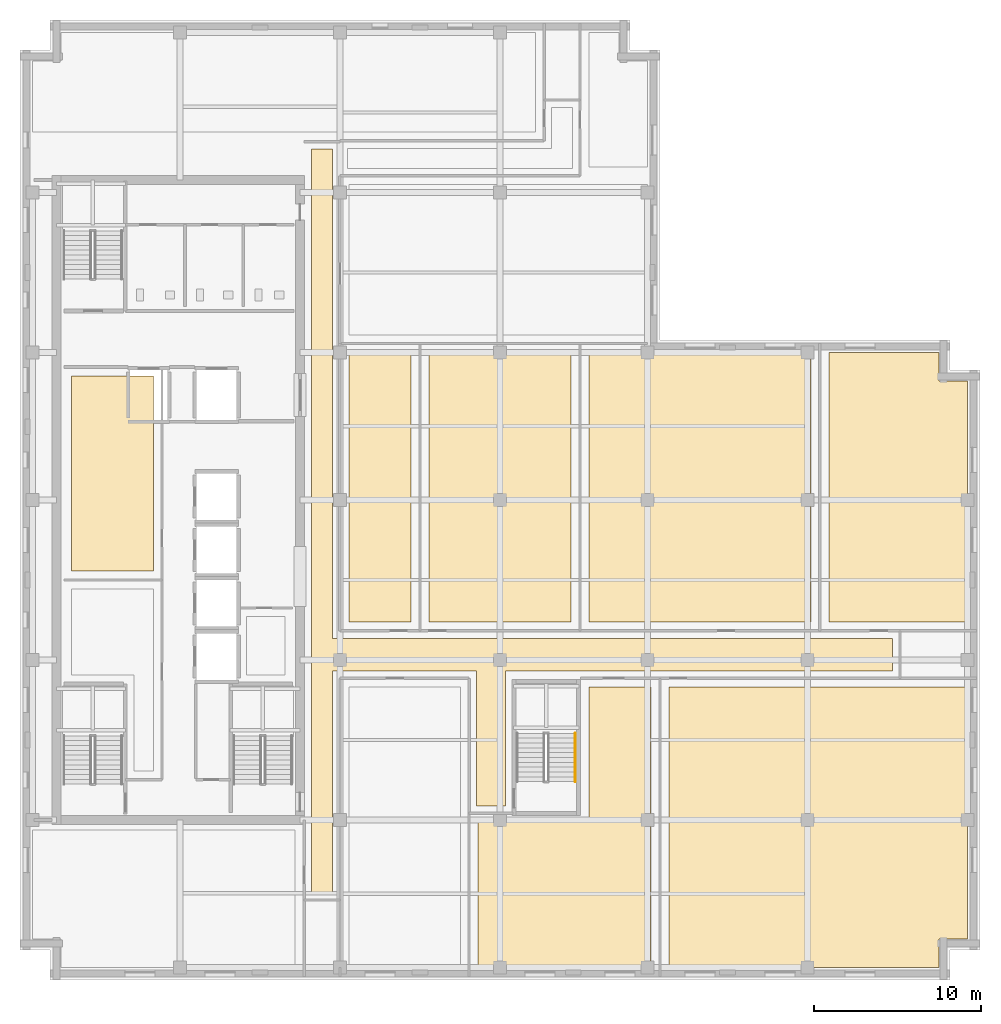
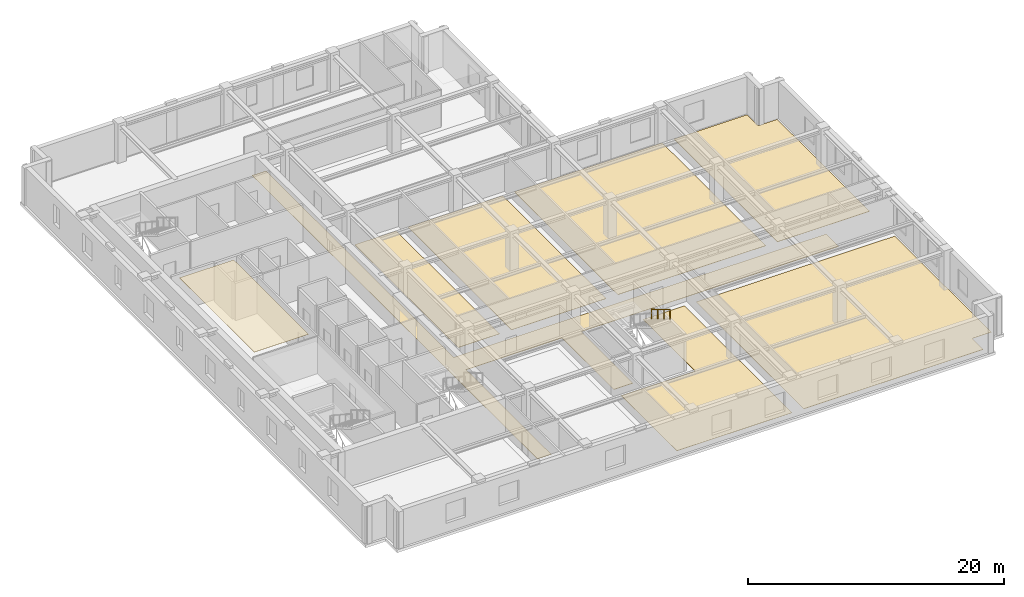
# One storey, part 8 of 10: 8 coverings, 1 railing.
"""IFC4 building model written with IfcOpenShell, lengths in metres."""

from ifc_helpers import new_model, si_unit, direction, frame, origin, origin_2d, place, context, subcontext, project, spatial, polyline, circle, outline, extrude, material, layer, layer_set, type_object, element, save


model = new_model("IFC4")

# Units and contexts
model_context = context("Model", 3, precision=1e-05, world=origin(), true_north=direction((0.0, 1.0)))
body_context = subcontext(model_context, "Body", "Model", "MODEL_VIEW")
ifc_project = project(units=[si_unit("LENGTHUNIT", "METRE"), si_unit("AREAUNIT", "SQUARE_METRE"), si_unit("VOLUMEUNIT", "CUBIC_METRE"), si_unit("PLANEANGLEUNIT", "RADIAN"), si_unit("MASSUNIT", "GRAM", prefix="KILO")], contexts=[model_context])

# Site, building, storey
site_placement = place(None, origin())
site = spatial("IfcSite", under=ifc_project, at=site_placement, CompositionType="ELEMENT")
building_placement = place(site_placement, origin())
building = spatial("IfcBuilding", under=site, at=building_placement, Name="Norrvale University Quadrangle", CompositionType="ELEMENT")
storey_placement = place(building_placement, frame((0.0, 0.0, 229.39990234375)))
storey = spatial("IfcBuildingStorey", under=building, at=storey_placement, Name="L58", CompositionType="ELEMENT", Elevation=229.39990234375)

# Coverings
ifc_material_1 = material(Name="Perforated Acoustic Mineral Ceiling")
ifc_layer_1 = layer(ifc_material_1, 0.02490234375, Name="Perforated Acoustic Mineral Ceiling")
ifc_layer_set_1 = layer_set([ifc_layer_1], Name="Perforated Acoustic Mineral Ceiling")
covering_type_1 = type_object("IfcCoveringType", Name="Covering Acoustic Ceiling 25", PredefinedType="CEILING", material=ifc_layer_set_1)
covering_1_placement = place(storey_placement, frame((0.0, 0.0, 3.51513671875)))
element("IfcCovering", 1, at=covering_1_placement, inside=storey, type_object=covering_type_1, Name="Acoustic Ceiling RM-L58-REC2", PredefinedType="CEILING", context=body_context, shape_type="SweptSolid", body=[
    extrude(outline(polyline([(3.10009765625, 24.550048828125), (3.10009765625, 36.25), (8.0, 36.25), (8.0, 24.550048828125), (3.10009765625, 24.550048828125)])), origin(), (0.0, 0.0, 1.0), 0.02490234375),
])
ifc_material_2 = material(Name="Polished Terrazzo Flooring")
ifc_layer_2 = layer(ifc_material_2, 0.02490234375, Name="Polished Terrazzo Flooring")
ifc_layer_set_2 = layer_set([ifc_layer_2], Name="Polished Terrazzo Flooring")
covering_type_2 = type_object("IfcCoveringType", Name="Covering Terrazzo Floor 30", PredefinedType="FLOORING", material=ifc_layer_set_2)
covering_2_placement = place(storey_placement, origin())
element("IfcCovering", 2, at=covering_2_placement, inside=storey, type_object=covering_type_2, Name="Terrazzo Flooring RM-L58-CORR1", PredefinedType="FLOORING", context=body_context, shape_type="SweptSolid", body=[
    extrude(outline(polyline([(17.5, 5.25), (17.5, 49.85009765625), (18.75, 49.85009765625), (18.75, 20.5), (52.35009765625, 20.5), (52.35009765625, 18.550048828125), (29.1298828125, 18.550048828125), (29.1298828125, 10.449951171875), (27.39990234375, 10.449951171875), (27.39990234375, 18.550048828125), (18.75, 18.550048828125), (18.75, 5.25), (17.5, 5.25)])), origin(), (0.0, 0.0, 1.0), 0.025146484375),
])
covering_3_placement = place(storey_placement, origin())
element("IfcCovering", 3, at=covering_3_placement, inside=storey, type_object=covering_type_2, Name="Terrazzo Flooring RM-L58-SE2", PredefinedType="FLOORING", context=body_context, shape_type="SweptSolid", body=[
    extrude(outline(polyline([(27.47998046875, 9.449951171875), (34.14990234375, 9.449951171875), (34.14990234375, 17.570068359375), (37.8701171875, 17.570068359375), (37.8701171875, 0.75), (27.47998046875, 0.75), (27.47998046875, 9.449951171875)])), origin(), (0.0, 0.0, 1.0), 0.025146484375),
])
covering_4_placement = place(storey_placement, origin())
element("IfcCovering", 4, at=covering_4_placement, inside=storey, type_object=covering_type_2, Name="Terrazzo Flooring RM-L58-SE3", PredefinedType="FLOORING", context=body_context, shape_type="SweptSolid", body=[
    extrude(outline(polyline([(38.929931640625, 0.75), (38.929931640625, 17.570068359375), (56.85009765625, 17.570068359375), (56.85009765625, 2.469970703125), (55.1298828125, 2.469970703125), (55.1298828125, 0.75), (38.929931640625, 0.75)])), origin(), (0.0, 0.0, 1.0), 0.025146484375),
])
covering_5_placement = place(storey_placement, origin())
element("IfcCovering", 5, at=covering_5_placement, inside=storey, type_object=covering_type_2, Name="Terrazzo Flooring RM-L58-ME01", PredefinedType="FLOORING", context=body_context, shape_type="SweptSolid", body=[
    extrude(outline(polyline([(19.72998046875, 37.64990234375), (23.469970703125, 37.64990234375), (23.469970703125, 21.47998046875), (19.72998046875, 21.47998046875), (19.72998046875, 37.64990234375)])), origin(), (0.0, 0.0, 1.0), 0.025146484375),
])
covering_6_placement = place(storey_placement, origin())
element("IfcCovering", 6, at=covering_6_placement, inside=storey, type_object=covering_type_2, Name="Terrazzo Flooring RM-L58-ME02", PredefinedType="FLOORING", context=body_context, shape_type="SweptSolid", body=[
    extrude(outline(polyline([(24.530029296875, 37.64990234375), (33.070068359375, 37.64990234375), (33.070068359375, 21.47998046875), (24.530029296875, 21.47998046875), (24.530029296875, 37.64990234375)])), origin(), (0.0, 0.0, 1.0), 0.025146484375),
])
covering_7_placement = place(storey_placement, origin())
element("IfcCovering", 7, at=covering_7_placement, inside=storey, type_object=covering_type_2, Name="Terrazzo Flooring RM-L58-ME03", PredefinedType="FLOORING", context=body_context, shape_type="SweptSolid", body=[
    extrude(outline(polyline([(34.1298828125, 37.64990234375), (47.469970703125, 37.64990234375), (47.469970703125, 21.47998046875), (34.1298828125, 21.47998046875), (34.1298828125, 37.64990234375)])), origin(), (0.0, 0.0, 1.0), 0.025146484375),
])
covering_8_placement = place(storey_placement, origin())
element("IfcCovering", 8, at=covering_8_placement, inside=storey, type_object=covering_type_2, Name="Terrazzo Flooring RM-L58-ME04", PredefinedType="FLOORING", context=body_context, shape_type="SweptSolid", body=[
    extrude(outline(polyline([(56.85009765625, 21.47998046875), (48.530029296875, 21.47998046875), (48.530029296875, 37.64990234375), (55.1298828125, 37.64990234375), (55.1298828125, 35.929931640625), (56.85009765625, 35.929931640625), (56.85009765625, 21.47998046875)])), origin(), (0.0, 0.0, 1.0), 0.025146484375),
])

# Railing
ifc_material_3 = material(Name="Stainless Steel 316L Handrail", Category="steel")
railing_type = type_object("IfcRailingType", Name="Railing Stair Handrail 920", PredefinedType="HANDRAIL", material=ifc_material_3)
railing_placement = place(storey_placement, frame((33.31005859375, 14.800048828125, 2.07275390625)))
element("IfcRailing", 9, at=railing_placement, inside=storey, type_object=railing_type, Name="Stair Upper Flight Handrail ST-04 L58", PredefinedType="HANDRAIL", context=body_context, shape_type="SweptSolid", body=[
    extrude(circle(Radius=0.02392578125, at=origin_2d()), frame((0.0, 0.0, 0.89599609375), z_axis=(0.0, -0.859160404282, 0.51170636083), x_axis=(1.0, 0.0, 0.0)), (0.0, 0.0, 1.0), 3.37548828125),
    extrude(circle(Radius=0.02099609375, at=origin_2d()), origin(), (0.0, 0.0, 1.0), 0.871826171875),
    extrude(circle(Radius=0.02099609375, at=origin_2d()), frame((0.0, -0.966796875, 0.57568359375)), (0.0, 0.0, 1.0), 0.871826171875),
    extrude(circle(Radius=0.02099609375, at=origin_2d()), frame((0.0, -1.933349609375, 1.151611328125)), (0.0, 0.0, 1.0), 0.871826171875),
    extrude(circle(Radius=0.02099609375, at=origin_2d()), frame((0.0, -2.900146484375, 1.727294921875)), (0.0, 0.0, 1.0), 0.871826171875),
])

save(model, "model.ifc")
